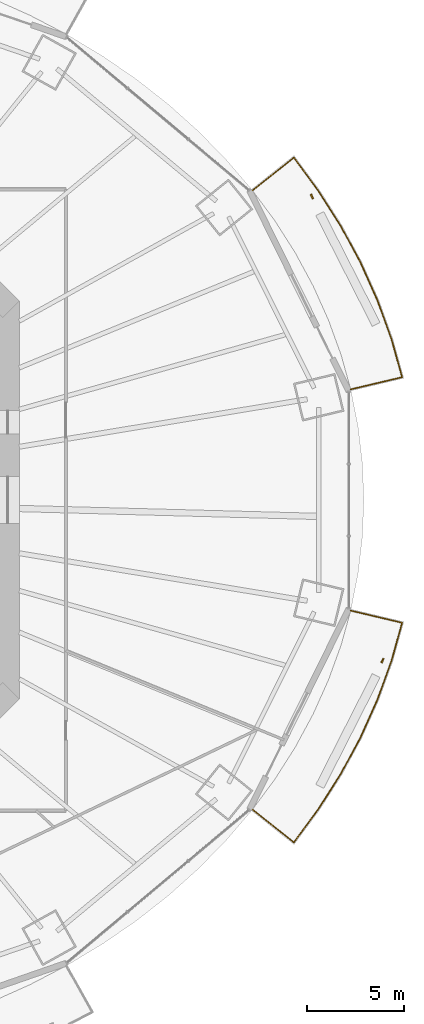
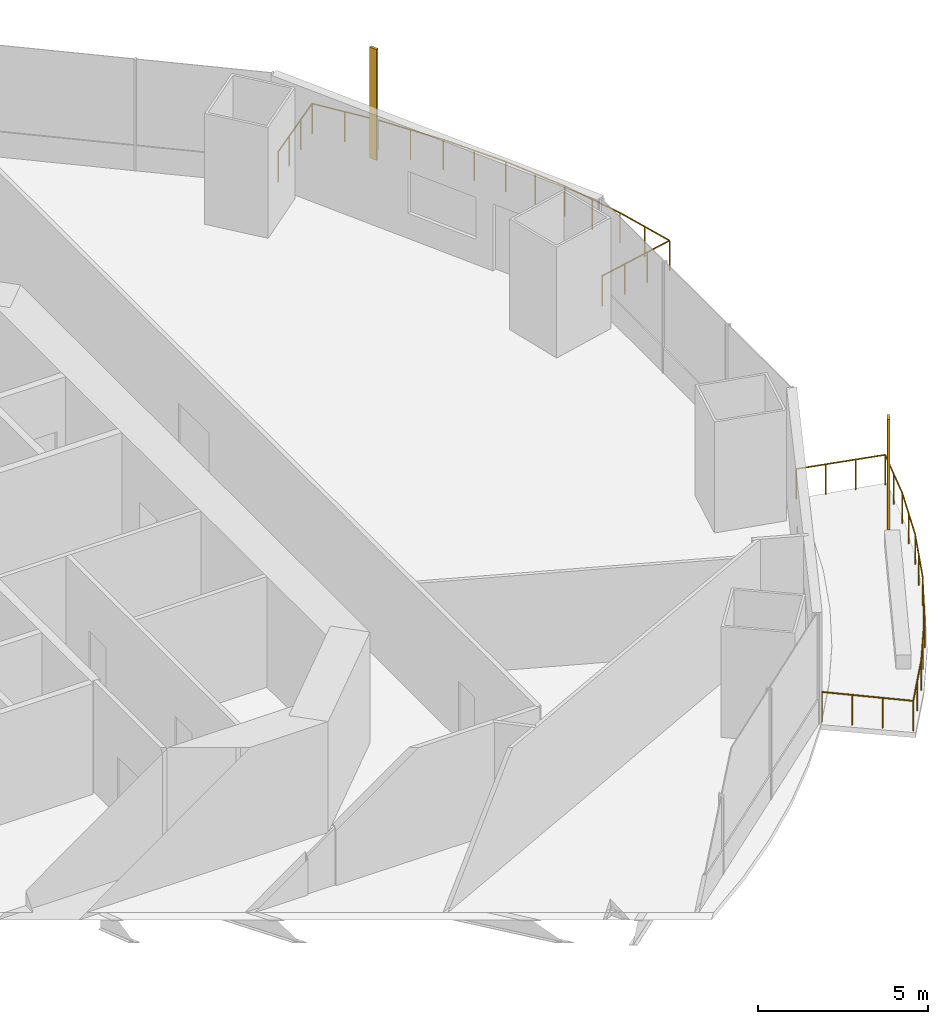
# One storey, part 21 of 22: 2 railings, 2 shading devices.
"""IFC4 building model written with IfcOpenShell, lengths in metres."""

from ifc_helpers import new_model, si_unit, direction, frame, origin, origin_2d, place, context, subcontext, project, spatial, rectangle, circle, extrude, material, material_profile, profile_set, type_object, element, save


model = new_model("IFC4")

# Units and contexts
model_context = context("Model", 3, precision=1e-05, world=origin(), true_north=direction((0.0, 1.0)))
body_context = subcontext(model_context, "Body", "Model", "MODEL_VIEW")
ifc_project = project(units=[si_unit("LENGTHUNIT", "METRE"), si_unit("AREAUNIT", "SQUARE_METRE"), si_unit("VOLUMEUNIT", "CUBIC_METRE"), si_unit("PLANEANGLEUNIT", "RADIAN"), si_unit("MASSUNIT", "GRAM", prefix="KILO")], contexts=[model_context])

# Site, building, storey
site_placement = place(None, origin())
site = spatial("IfcSite", under=ifc_project, at=site_placement, CompositionType="ELEMENT")
building_placement = place(site_placement, origin())
building = spatial("IfcBuilding", under=site, at=building_placement, Name="Marenthal Gate Tower", CompositionType="ELEMENT")
storey_placement = place(building_placement, frame((0.0, 0.0, 111.85009765625)))
storey = spatial("IfcBuildingStorey", under=building, at=storey_placement, Name="L23", CompositionType="ELEMENT", Elevation=111.85009765625)

# Railings
ifc_material_1 = material(Name="Stainless steel", Category="steel")
railing_type = type_object("IfcRailingType", Name="Balcony guard 1100", PredefinedType="GUARDRAIL", material=ifc_material_1)
railing_1_placement = place(storey_placement, frame((28.607666015625, 15.9423828125, 0.0)))
element("IfcRailing", 1, at=railing_1_placement, inside=storey, type_object=railing_type, Name="Balcony guard L23 bay 1", PredefinedType="GUARDRAIL", context=body_context, shape_type="SweptSolid", body=[
    extrude(circle(Radius=0.02392578125, at=origin_2d()), frame((0.0, 0.0, 1.076171875), z_axis=(0.78234035398, 0.622677225641, -0.014718804411), x_axis=(-0.622744685996, 0.782425112112, 0.0)), (0.0, 0.0, 1.0), 2.72021484375),
    extrude(circle(Radius=0.02392578125, at=origin_2d()), frame((2.128173828125, 1.69384765625, 1.0361328125), z_axis=(0.594374737218, -0.804188206676, 0.0), x_axis=(0.804188206676, 0.594374737218, 0.0)), (0.0, 0.0, 1.0), 2.1025390625),
    extrude(circle(Radius=0.02392578125, at=origin_2d()), frame((3.3779296875, 0.0029296875, 1.0361328125), z_axis=(0.537437089424, -0.843303844953, 0.0), x_axis=(0.843303844953, 0.537437089424, 0.0)), (0.0, 0.0, 1.0), 2.16552734375),
    extrude(circle(Radius=0.02392578125, at=origin_2d()), frame((4.541748046875, -1.8232421875, 1.0361328125), z_axis=(0.475203433283, -0.87987595546, 0.0), x_axis=(0.87987595546, 0.475203433283, 0.0)), (0.0, 0.0, 1.0), 2.149658203125),
    extrude(circle(Radius=0.02392578125, at=origin_2d()), frame((5.563232421875, -3.714599609375, 1.0361328125), z_axis=(0.40931851754, -0.912391555857, 0.0), x_axis=(0.912391555857, 0.40931851754, 0.0)), (0.0, 0.0, 1.0), 2.13525390625),
    extrude(circle(Radius=0.02392578125, at=origin_2d()), frame((6.437255859375, -5.662841796875, 1.0361328125), z_axis=(0.340071165829, -0.940399703409, 0.0), x_axis=(0.940399703409, 0.340071165829, 0.0)), (0.0, 0.0, 1.0), 2.122802734375),
    extrude(circle(Radius=0.02392578125, at=origin_2d()), frame((7.1591796875, -7.6591796875, 1.0361328125), z_axis=(0.269340401915, -0.963045039391, 0.0), x_axis=(0.963045039391, 0.269340401915, 0.0)), (0.0, 0.0, 1.0), 2.033203125),
    extrude(circle(Radius=0.02392578125, at=origin_2d()), frame((7.706787109375, -9.6171875, 1.0361328125), z_axis=(-0.972946801612, -0.230559942195, 0.014718501565), x_axis=(0.230584919848, -0.973052205557, 0.0)), (0.0, 0.0, 1.0), 2.72021484375),
    extrude(circle(Radius=0.02099609375, at=origin_2d()), origin(), (0.0, 0.0, 1.0), 1.052001953125),
    extrude(circle(Radius=0.02099609375, at=origin_2d()), frame((0.70947265625, 0.564697265625, -0.013427734375)), (0.0, 0.0, 1.0), 1.052001953125),
    extrude(circle(Radius=0.02099609375, at=origin_2d()), frame((1.418701171875, 1.129150390625, -0.026611328125)), (0.0, 0.0, 1.0), 1.052001953125),
    extrude(circle(Radius=0.02099609375, at=origin_2d()), frame((2.128173828125, 1.69384765625, -0.0400390625)), (0.0, 0.0, 1.0), 1.052001953125),
    extrude(circle(Radius=0.02099609375, at=origin_2d()), frame((2.7529296875, 0.848388671875, -0.0400390625)), (0.0, 0.0, 1.0), 1.052001953125),
    extrude(circle(Radius=0.02099609375, at=origin_2d()), frame((3.3779296875, 0.0029296875, -0.0400390625)), (0.0, 0.0, 1.0), 1.052001953125),
    extrude(circle(Radius=0.02099609375, at=origin_2d()), frame((3.9599609375, -0.91015625, -0.0400390625)), (0.0, 0.0, 1.0), 1.052001953125),
    extrude(circle(Radius=0.02099609375, at=origin_2d()), frame((4.541748046875, -1.8232421875, -0.0400390625)), (0.0, 0.0, 1.0), 1.052001953125),
    extrude(circle(Radius=0.02099609375, at=origin_2d()), frame((5.052490234375, -2.76904296875, -0.0400390625)), (0.0, 0.0, 1.0), 1.052001953125),
    extrude(circle(Radius=0.02099609375, at=origin_2d()), frame((5.563232421875, -3.714599609375, -0.0400390625)), (0.0, 0.0, 1.0), 1.052001953125),
    extrude(circle(Radius=0.02099609375, at=origin_2d()), frame((6.000244140625, -4.688720703125, -0.0400390625)), (0.0, 0.0, 1.0), 1.052001953125),
    extrude(circle(Radius=0.02099609375, at=origin_2d()), frame((6.437255859375, -5.662841796875, -0.0400390625)), (0.0, 0.0, 1.0), 1.052001953125),
    extrude(circle(Radius=0.02099609375, at=origin_2d()), frame((6.79833984375, -6.6611328125, -0.0400390625)), (0.0, 0.0, 1.0), 1.052001953125),
    extrude(circle(Radius=0.02099609375, at=origin_2d()), frame((7.1591796875, -7.6591796875, -0.0400390625)), (0.0, 0.0, 1.0), 1.052001953125),
    extrude(circle(Radius=0.02099609375, at=origin_2d()), frame((7.43310546875, -8.63818359375, -0.0400390625)), (0.0, 0.0, 1.0), 1.052001953125),
    extrude(circle(Radius=0.02099609375, at=origin_2d()), frame((7.706787109375, -9.6171875, -0.0400390625)), (0.0, 0.0, 1.0), 1.052001953125),
    extrude(circle(Radius=0.02099609375, at=origin_2d()), frame((6.824462890625, -9.826171875, -0.026611328125)), (0.0, 0.0, 1.0), 1.052001953125),
    extrude(circle(Radius=0.02099609375, at=origin_2d()), frame((5.9423828125, -10.035400390625, -0.013427734375)), (0.0, 0.0, 1.0), 1.052001953125),
    extrude(circle(Radius=0.02099609375, at=origin_2d()), frame((5.06005859375, -10.244384765625, 0.0)), (0.0, 0.0, 1.0), 1.052001953125),
])
railing_2_placement = place(storey_placement, frame((33.667724609375, -5.697998046875, 0.0)))
element("IfcRailing", 2, at=railing_2_placement, inside=storey, type_object=railing_type, Name="Balcony guard L23 bay 15", PredefinedType="GUARDRAIL", context=body_context, shape_type="SweptSolid", body=[
    extrude(circle(Radius=0.02392578125, at=origin_2d()), frame((0.0, 0.0, 1.076171875), z_axis=(0.972946801612, -0.230559942195, -0.014718501565), x_axis=(0.230584919848, 0.973052205557, 0.0)), (0.0, 0.0, 1.0), 2.72021484375),
    extrude(circle(Radius=0.02392578125, at=origin_2d()), frame((2.646728515625, -0.627197265625, 1.0361328125), z_axis=(-0.269340401915, -0.963045039391, 0.0), x_axis=(0.963045039391, -0.269340401915, 0.0)), (0.0, 0.0, 1.0), 2.033203125),
    extrude(circle(Radius=0.02392578125, at=origin_2d()), frame((2.09912109375, -2.585205078125, 1.0361328125), z_axis=(-0.340071165829, -0.940399703409, 0.0), x_axis=(0.940399703409, -0.340071165829, 0.0)), (0.0, 0.0, 1.0), 2.122802734375),
    extrude(circle(Radius=0.02392578125, at=origin_2d()), frame((1.377197265625, -4.58154296875, 1.0361328125), z_axis=(-0.40931851754, -0.912391555857, 0.0), x_axis=(0.912391555857, -0.40931851754, 0.0)), (0.0, 0.0, 1.0), 2.13525390625),
    extrude(circle(Radius=0.02392578125, at=origin_2d()), frame((0.503173828125, -6.52978515625, 1.0361328125), z_axis=(-0.475203433283, -0.87987595546, 0.0), x_axis=(0.87987595546, -0.475203433283, 0.0)), (0.0, 0.0, 1.0), 2.149658203125),
    extrude(circle(Radius=0.02392578125, at=origin_2d()), frame((-0.518310546875, -8.421142578125, 1.0361328125), z_axis=(-0.537437089424, -0.843303844953, 0.0), x_axis=(0.843303844953, -0.537437089424, 0.0)), (0.0, 0.0, 1.0), 2.16552734375),
    extrude(circle(Radius=0.02392578125, at=origin_2d()), frame((-1.68212890625, -10.247314453125, 1.0361328125), z_axis=(-0.594374737218, -0.804188206676, 0.0), x_axis=(0.804188206676, -0.594374737218, 0.0)), (0.0, 0.0, 1.0), 2.1025390625),
    extrude(circle(Radius=0.02392578125, at=origin_2d()), frame((-2.931884765625, -11.938232421875, 1.0361328125), z_axis=(-0.78234035398, 0.622677225641, 0.014718804411), x_axis=(-0.622744685996, -0.782425112112, 0.0)), (0.0, 0.0, 1.0), 2.72021484375),
    extrude(circle(Radius=0.02099609375, at=origin_2d()), origin(), (0.0, 0.0, 1.0), 1.052001953125),
    extrude(circle(Radius=0.02099609375, at=origin_2d()), frame((0.88232421875, -0.208984375, -0.013427734375)), (0.0, 0.0, 1.0), 1.052001953125),
    extrude(circle(Radius=0.02099609375, at=origin_2d()), frame((1.764404296875, -0.418212890625, -0.026611328125)), (0.0, 0.0, 1.0), 1.052001953125),
    extrude(circle(Radius=0.02099609375, at=origin_2d()), frame((2.646728515625, -0.627197265625, -0.0400390625)), (0.0, 0.0, 1.0), 1.052001953125),
    extrude(circle(Radius=0.02099609375, at=origin_2d()), frame((2.373046875, -1.606201171875, -0.0400390625)), (0.0, 0.0, 1.0), 1.052001953125),
    extrude(circle(Radius=0.02099609375, at=origin_2d()), frame((2.09912109375, -2.585205078125, -0.0400390625)), (0.0, 0.0, 1.0), 1.052001953125),
    extrude(circle(Radius=0.02099609375, at=origin_2d()), frame((1.73828125, -3.58349609375, -0.0400390625)), (0.0, 0.0, 1.0), 1.052001953125),
    extrude(circle(Radius=0.02099609375, at=origin_2d()), frame((1.377197265625, -4.58154296875, -0.0400390625)), (0.0, 0.0, 1.0), 1.052001953125),
    extrude(circle(Radius=0.02099609375, at=origin_2d()), frame((0.940185546875, -5.5556640625, -0.0400390625)), (0.0, 0.0, 1.0), 1.052001953125),
    extrude(circle(Radius=0.02099609375, at=origin_2d()), frame((0.503173828125, -6.52978515625, -0.0400390625)), (0.0, 0.0, 1.0), 1.052001953125),
    extrude(circle(Radius=0.02099609375, at=origin_2d()), frame((-0.007568359375, -7.4755859375, -0.0400390625)), (0.0, 0.0, 1.0), 1.052001953125),
    extrude(circle(Radius=0.02099609375, at=origin_2d()), frame((-0.518310546875, -8.421142578125, -0.0400390625)), (0.0, 0.0, 1.0), 1.052001953125),
    extrude(circle(Radius=0.02099609375, at=origin_2d()), frame((-1.10009765625, -9.334228515625, -0.0400390625)), (0.0, 0.0, 1.0), 1.052001953125),
    extrude(circle(Radius=0.02099609375, at=origin_2d()), frame((-1.68212890625, -10.247314453125, -0.0400390625)), (0.0, 0.0, 1.0), 1.052001953125),
    extrude(circle(Radius=0.02099609375, at=origin_2d()), frame((-2.30712890625, -11.0927734375, -0.0400390625)), (0.0, 0.0, 1.0), 1.052001953125),
    extrude(circle(Radius=0.02099609375, at=origin_2d()), frame((-2.931884765625, -11.938232421875, -0.0400390625)), (0.0, 0.0, 1.0), 1.052001953125),
    extrude(circle(Radius=0.02099609375, at=origin_2d()), frame((-3.641357421875, -11.37353515625, -0.026611328125)), (0.0, 0.0, 1.0), 1.052001953125),
    extrude(circle(Radius=0.02099609375, at=origin_2d()), frame((-4.3505859375, -10.80908203125, -0.013427734375)), (0.0, 0.0, 1.0), 1.052001953125),
    extrude(circle(Radius=0.02099609375, at=origin_2d()), frame((-5.06005859375, -10.244384765625, 0.0)), (0.0, 0.0, 1.0), 1.052001953125),
])

# Shading devices
ifc_material_2 = material(Name="Terracotta", Category="masonry")
ifc_material_profile = material_profile(ifc_material_2, rectangle(XDim=0.25, YDim=0.080078125, at=origin_2d()), Name="Terracotta baguette 250x80")
ifc_profile_set = profile_set([ifc_material_profile], Name="Terracotta")
shading_device_type = type_object("IfcShadingDeviceType", Name="Terracotta BAGUETTE SCREEN 250x80", PredefinedType="USERDEFINED", material=ifc_profile_set)
for number, where, z_axis, x_axis, name in (
    (3, (31.668212890625, 15.629150390625, -0.0400390625), (0.0, 0.0, 1.0), (-0.442731257123, 0.896654355907, 0.0), "Terracotta BAGUETTE L23 bay 1R"),
    (4, (35.300048828125, -8.2734375, -0.0400390625), (0.0, 0.0, 1.0), (0.442731257123, 0.896654355907, 0.0), "Terracotta BAGUETTE L23 bay 15R"),
):
    element("IfcShadingDevice", number, at=place(storey_placement, frame(where, z_axis=z_axis, x_axis=x_axis)), inside=storey, type_object=shading_device_type, Name=name, ObjectType="BAGUETTE SCREEN", PredefinedType="USERDEFINED", context=body_context, shape_type="SweptSolid", body=[
        extrude(rectangle(XDim=0.25, YDim=0.080078125, at=origin_2d()), origin(), (0.0, 0.0, 1.0), 3.969970703125),
    ])

save(model, "model.ifc")
